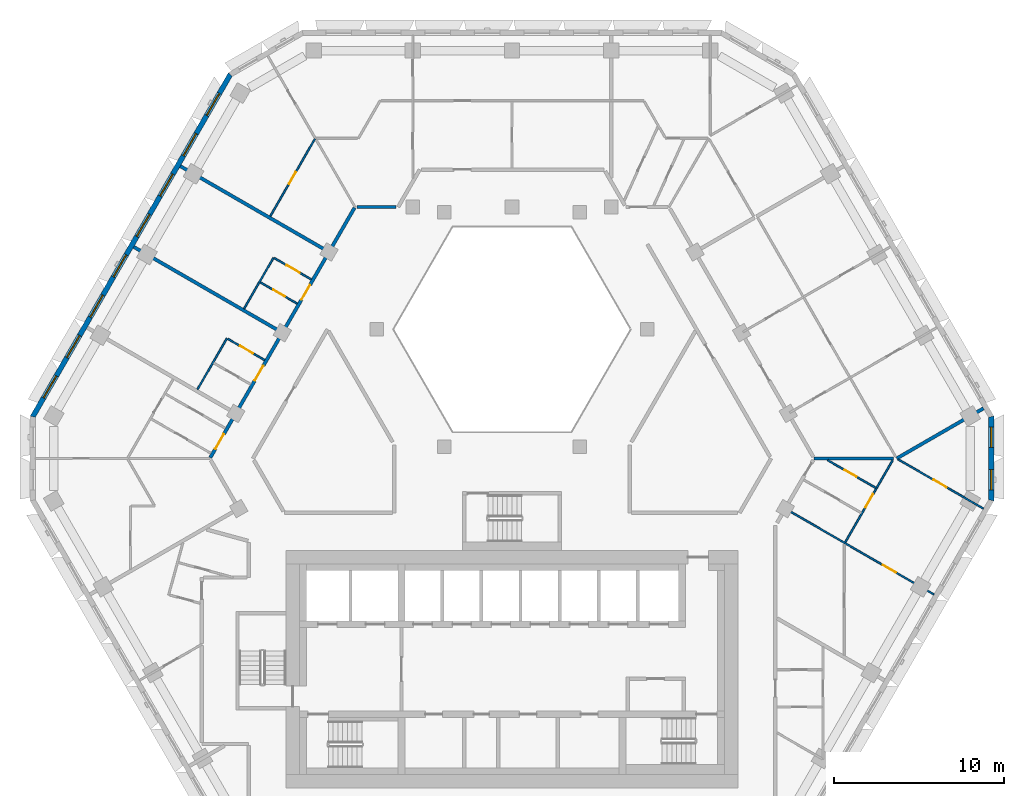
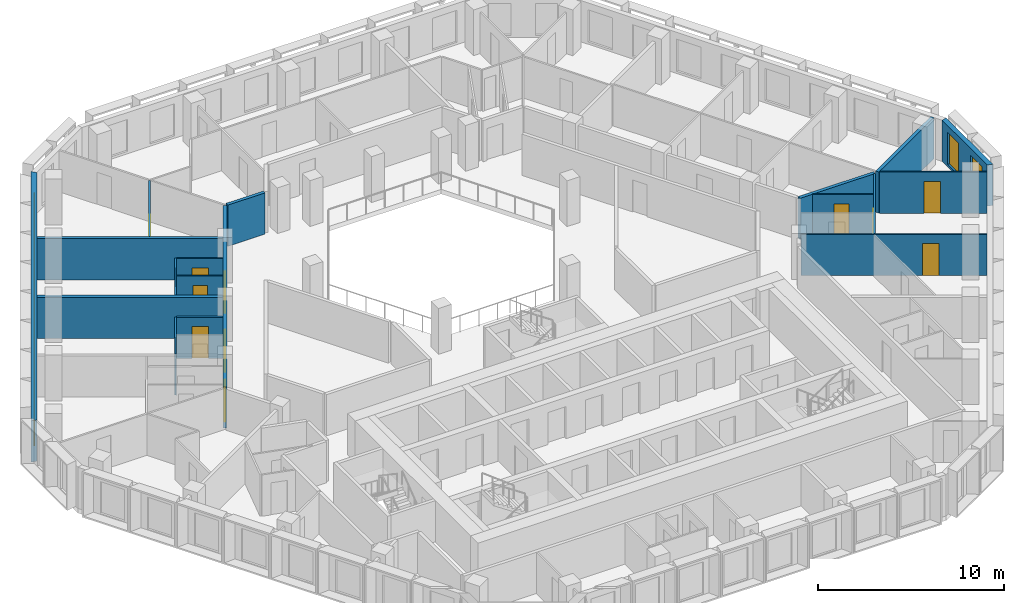
# One storey, part 7 of 17: 18 walls, 11 doors, 10 windows, 21 openings.
"""IFC4 building model written with IfcOpenShell, lengths in metres."""

from ifc_helpers import new_model, si_unit, direction, frame, frame_2d, origin, place, context, subcontext, project, spatial, polyline, rectangle, outline, extrude, material, layer, layer_set, type_object, element, fill, save


model = new_model("IFC4")

# Units and contexts
model_context = context("Model", 3, precision=1e-05, world=origin(), true_north=direction((0.0, 1.0)))
body_context = subcontext(model_context, "Body", "Model", "MODEL_VIEW")
ifc_project = project(units=[si_unit("LENGTHUNIT", "METRE"), si_unit("AREAUNIT", "SQUARE_METRE"), si_unit("VOLUMEUNIT", "CUBIC_METRE"), si_unit("PLANEANGLEUNIT", "RADIAN"), si_unit("MASSUNIT", "GRAM", prefix="KILO")], contexts=[model_context])

# Site, building, storey
site_placement = place(None, origin())
site = spatial("IfcSite", under=ifc_project, at=site_placement, CompositionType="ELEMENT")
building_placement = place(site_placement, origin())
building = spatial("IfcBuilding", under=site, at=building_placement, Name="Beryl Residences", CompositionType="ELEMENT")
storey_placement = place(building_placement, frame((0.0, 0.0, 132.60009765625)))
storey = spatial("IfcBuildingStorey", under=building, at=storey_placement, Name="L40", CompositionType="ELEMENT", Elevation=132.60009765625)

# Wall, openings, windows
ifc_material_1 = material(Name="Composite metal panel with mineral wool insulation")
ifc_layer_1 = layer(ifc_material_1, 0.300048828125)
ifc_layer_set_1 = layer_set([ifc_layer_1], Name="ES1 pale metal composite panel wall 300 mm")
wall_type_1 = type_object("IfcWallType", Name="ES1 pale metal composite panel wall 300 mm", PredefinedType="SOLIDWALL", material=ifc_layer_set_1)
wall_1_placement = place(storey_placement, frame((-16.554931640625, 23.02490234375, 0.0), z_axis=(0.0, 0.0, 1.0), x_axis=(-0.500020536353, -0.866013546791, 0.0)))
wall_1 = element("IfcWall", 1, at=wall_1_placement, inside=storey, type_object=wall_type_1, Name="ES1 external wall L40 NW", PredefinedType="SOLIDWALL", context=body_context, shape_type="SweptSolid", body=[
    extrude(outline(polyline([(0.0, -0.14990234375), (23.3251953125, -0.14990234375), (23.244873046875, 0.14990234375), (0.080322265625, 0.14990234375), (0.0, -0.14990234375)])), origin(), (0.0, 0.0, 1.0), 2.699951171875),
])
opening_1_placement = place(wall_1_placement, frame((1.31396484375, 0.0, 0.14990234375)))
opening_1 = element("IfcOpeningElement", 2, at=opening_1_placement, cuts=wall_1, Name="Opening W1", PredefinedType="OPENING", context=body_context, shape_type="SweptSolid", body=[
    extrude(rectangle(XDim=1.5, YDim=2.10009765625, at=frame_2d((0.75, 1.050048828125))), frame((0.0, 0.159912109375, 0.0), z_axis=(0.0, -1.0, 0.0), x_axis=(1.0, 0.0, 0.0)), (0.0, 0.0, 1.0), 0.320068359375),
])
opening_2_placement = place(wall_1_placement, frame((4.055908203125, 0.0, 0.14990234375)))
opening_2 = element("IfcOpeningElement", 3, at=opening_2_placement, cuts=wall_1, Name="Opening W1", PredefinedType="OPENING", context=body_context, shape_type="SweptSolid", body=[
    extrude(rectangle(XDim=1.5, YDim=2.10009765625, at=frame_2d((0.75, 1.050048828125))), frame((0.0, 0.159912109375, 0.0), z_axis=(0.0, -1.0, 0.0), x_axis=(1.0, 0.0, 0.0)), (0.0, 0.0, 1.0), 0.320068359375),
])
opening_3_placement = place(wall_1_placement, frame((6.799072265625, 0.0, 0.14990234375)))
opening_3 = element("IfcOpeningElement", 4, at=opening_3_placement, cuts=wall_1, Name="Opening W1", PredefinedType="OPENING", context=body_context, shape_type="SweptSolid", body=[
    extrude(rectangle(XDim=1.5, YDim=2.10009765625, at=frame_2d((0.75, 1.050048828125))), frame((0.0, 0.159912109375, 0.0), z_axis=(0.0, -1.0, 0.0), x_axis=(1.0, 0.0, 0.0)), (0.0, 0.0, 1.0), 0.320068359375),
])
opening_4_placement = place(wall_1_placement, frame((9.541015625, 0.0, 0.14990234375)))
opening_4 = element("IfcOpeningElement", 5, at=opening_4_placement, cuts=wall_1, Name="Opening W1", PredefinedType="OPENING", context=body_context, shape_type="SweptSolid", body=[
    extrude(rectangle(XDim=1.5, YDim=2.10009765625, at=frame_2d((0.75, 1.050048828125))), frame((0.0, 0.159912109375, 0.0), z_axis=(0.0, -1.0, 0.0), x_axis=(1.0, 0.0, 0.0)), (0.0, 0.0, 1.0), 0.320068359375),
])
opening_5_placement = place(wall_1_placement, frame((12.284912109375, 0.0, 0.14990234375)))
opening_5 = element("IfcOpeningElement", 6, at=opening_5_placement, cuts=wall_1, Name="Opening W1", PredefinedType="OPENING", context=body_context, shape_type="SweptSolid", body=[
    extrude(rectangle(XDim=1.5, YDim=2.10009765625, at=frame_2d((0.75, 1.050048828125))), frame((0.0, 0.159912109375, 0.0), z_axis=(0.0, -1.0, 0.0), x_axis=(1.0, 0.0, 0.0)), (0.0, 0.0, 1.0), 0.320068359375),
])
opening_6_placement = place(wall_1_placement, frame((15.027099609375, 0.0, 0.14990234375)))
opening_6 = element("IfcOpeningElement", 7, at=opening_6_placement, cuts=wall_1, Name="Opening W1", PredefinedType="OPENING", context=body_context, shape_type="SweptSolid", body=[
    extrude(rectangle(XDim=1.5, YDim=2.10009765625, at=frame_2d((0.75, 1.050048828125))), frame((0.0, 0.159912109375, 0.0), z_axis=(0.0, -1.0, 0.0), x_axis=(1.0, 0.0, 0.0)), (0.0, 0.0, 1.0), 0.320068359375),
])
opening_7_placement = place(wall_1_placement, frame((17.76904296875, 0.0, 0.14990234375)))
opening_7 = element("IfcOpeningElement", 8, at=opening_7_placement, cuts=wall_1, Name="Opening W1", PredefinedType="OPENING", context=body_context, shape_type="SweptSolid", body=[
    extrude(rectangle(XDim=1.5, YDim=2.10009765625, at=frame_2d((0.75, 1.050048828125))), frame((0.0, 0.159912109375, 0.0), z_axis=(0.0, -1.0, 0.0), x_axis=(1.0, 0.0, 0.0)), (0.0, 0.0, 1.0), 0.320068359375),
])
opening_8_placement = place(wall_1_placement, frame((20.511962890625, 0.0, 0.14990234375)))
opening_8 = element("IfcOpeningElement", 9, at=opening_8_placement, cuts=wall_1, Name="Opening W1", PredefinedType="OPENING", context=body_context, shape_type="SweptSolid", body=[
    extrude(rectangle(XDim=1.5, YDim=2.10009765625, at=frame_2d((0.75, 1.050048828125))), frame((0.0, 0.159912109375, 0.0), z_axis=(0.0, -1.0, 0.0), x_axis=(1.0, 0.0, 0.0)), (0.0, 0.0, 1.0), 0.320068359375),
])
ifc_material_2 = material(Name="Aluminium and clear glass", Category="aluminium")
window_type_1 = type_object("IfcWindowType", Name="W1 cell window 1500 x 2100 mm", PartitioningType="SINGLE_PANEL", PredefinedType="WINDOW", material=ifc_material_2)
window_1_placement = place(opening_1_placement, origin())
window_1 = element("IfcWindow", 10, at=window_1_placement, inside=storey, type_object=window_type_1, Name="W1 window L40 NW 1", OverallHeight=2.10009765625, OverallWidth=1.5, PartitioningType="SINGLE_PANEL", PredefinedType="WINDOW", context=body_context, shape_type="SweptSolid", body=[
    extrude(rectangle(XDim=1.5, YDim=2.10009765625, at=frame_2d((0.75, 1.050048828125))), frame((0.0, 0.030029296875, 0.0), z_axis=(0.0, -1.0, 0.0), x_axis=(1.0, 0.0, 0.0)), (0.0, 0.0, 1.0), 0.06005859375),
])
fill(opening_1, window_1)
window_2_placement = place(opening_2_placement, origin())
window_2 = element("IfcWindow", 11, at=window_2_placement, inside=storey, type_object=window_type_1, Name="W1 window L40 NW 2", OverallHeight=2.10009765625, OverallWidth=1.5, PartitioningType="SINGLE_PANEL", PredefinedType="WINDOW", context=body_context, shape_type="SweptSolid", body=[
    extrude(rectangle(XDim=1.5, YDim=2.10009765625, at=frame_2d((0.75, 1.050048828125))), frame((0.0, 0.030029296875, 0.0), z_axis=(0.0, -1.0, 0.0), x_axis=(1.0, 0.0, 0.0)), (0.0, 0.0, 1.0), 0.06005859375),
])
fill(opening_2, window_2)
window_3_placement = place(opening_3_placement, origin())
window_3 = element("IfcWindow", 12, at=window_3_placement, inside=storey, type_object=window_type_1, Name="W1 window L40 NW 3", OverallHeight=2.10009765625, OverallWidth=1.5, PartitioningType="SINGLE_PANEL", PredefinedType="WINDOW", context=body_context, shape_type="SweptSolid", body=[
    extrude(rectangle(XDim=1.5, YDim=2.10009765625, at=frame_2d((0.75, 1.050048828125))), frame((0.0, 0.030029296875, 0.0), z_axis=(0.0, -1.0, 0.0), x_axis=(1.0, 0.0, 0.0)), (0.0, 0.0, 1.0), 0.06005859375),
])
fill(opening_3, window_3)
window_4_placement = place(opening_4_placement, origin())
window_4 = element("IfcWindow", 13, at=window_4_placement, inside=storey, type_object=window_type_1, Name="W1 window L40 NW 4", OverallHeight=2.10009765625, OverallWidth=1.5, PartitioningType="SINGLE_PANEL", PredefinedType="WINDOW", context=body_context, shape_type="SweptSolid", body=[
    extrude(rectangle(XDim=1.5, YDim=2.10009765625, at=frame_2d((0.75, 1.050048828125))), frame((0.0, 0.030029296875, 0.0), z_axis=(0.0, -1.0, 0.0), x_axis=(1.0, 0.0, 0.0)), (0.0, 0.0, 1.0), 0.06005859375),
])
fill(opening_4, window_4)
window_5_placement = place(opening_5_placement, origin())
window_5 = element("IfcWindow", 14, at=window_5_placement, inside=storey, type_object=window_type_1, Name="W1 window L40 NW 5", OverallHeight=2.10009765625, OverallWidth=1.5, PartitioningType="SINGLE_PANEL", PredefinedType="WINDOW", context=body_context, shape_type="SweptSolid", body=[
    extrude(rectangle(XDim=1.5, YDim=2.10009765625, at=frame_2d((0.75, 1.050048828125))), frame((0.0, 0.030029296875, 0.0), z_axis=(0.0, -1.0, 0.0), x_axis=(1.0, 0.0, 0.0)), (0.0, 0.0, 1.0), 0.06005859375),
])
fill(opening_5, window_5)
window_6_placement = place(opening_6_placement, origin())
window_6 = element("IfcWindow", 15, at=window_6_placement, inside=storey, type_object=window_type_1, Name="W1 window L40 NW 6", OverallHeight=2.10009765625, OverallWidth=1.5, PartitioningType="SINGLE_PANEL", PredefinedType="WINDOW", context=body_context, shape_type="SweptSolid", body=[
    extrude(rectangle(XDim=1.5, YDim=2.10009765625, at=frame_2d((0.75, 1.050048828125))), frame((0.0, 0.030029296875, 0.0), z_axis=(0.0, -1.0, 0.0), x_axis=(1.0, 0.0, 0.0)), (0.0, 0.0, 1.0), 0.06005859375),
])
fill(opening_6, window_6)
window_7_placement = place(opening_7_placement, origin())
window_7 = element("IfcWindow", 16, at=window_7_placement, inside=storey, type_object=window_type_1, Name="W1 window L40 NW 7", OverallHeight=2.10009765625, OverallWidth=1.5, PartitioningType="SINGLE_PANEL", PredefinedType="WINDOW", context=body_context, shape_type="SweptSolid", body=[
    extrude(rectangle(XDim=1.5, YDim=2.10009765625, at=frame_2d((0.75, 1.050048828125))), frame((0.0, 0.030029296875, 0.0), z_axis=(0.0, -1.0, 0.0), x_axis=(1.0, 0.0, 0.0)), (0.0, 0.0, 1.0), 0.06005859375),
])
fill(opening_7, window_7)
window_8_placement = place(opening_8_placement, origin())
window_8 = element("IfcWindow", 17, at=window_8_placement, inside=storey, type_object=window_type_1, Name="W1 window L40 NW 8", OverallHeight=2.10009765625, OverallWidth=1.5, PartitioningType="SINGLE_PANEL", PredefinedType="WINDOW", context=body_context, shape_type="SweptSolid", body=[
    extrude(rectangle(XDim=1.5, YDim=2.10009765625, at=frame_2d((0.75, 1.050048828125))), frame((0.0, 0.030029296875, 0.0), z_axis=(0.0, -1.0, 0.0), x_axis=(1.0, 0.0, 0.0)), (0.0, 0.0, 1.0), 0.06005859375),
])
fill(opening_8, window_8)

wall_2_placement = place(storey_placement, frame((28.197998046875, -2.10009765625, 0.0), z_axis=(0.0, 0.0, 1.0), x_axis=(0.0, 1.0, 0.0)))
wall_2 = element("IfcWall", 18, at=wall_2_placement, inside=storey, type_object=wall_type_1, Name="ES1 external wall L40 SE-NE", PredefinedType="SOLIDWALL", context=body_context, shape_type="SweptSolid", body=[
    extrude(outline(polyline([(0.0, -0.14990234375), (5.0, -0.14990234375), (4.919677734375, 0.14990234375), (0.080322265625, 0.14990234375), (0.0, -0.14990234375)])), origin(), (0.0, 0.0, 1.0), 2.699951171875),
])
opening_9_placement = place(wall_2_placement, frame((0.64990234375, 0.0, 0.14990234375)))
opening_9 = element("IfcOpeningElement", 19, at=opening_9_placement, cuts=wall_2, Name="Opening W2", PredefinedType="OPENING", context=body_context, shape_type="SweptSolid", body=[
    extrude(rectangle(XDim=1.199951171875, YDim=2.10009765625, at=frame_2d((0.60009765625, 1.050048828125))), frame((0.0, 0.159912109375, 0.0), z_axis=(0.0, -1.0, 0.0), x_axis=(1.0, 0.0, 0.0)), (0.0, 0.0, 1.0), 0.320068359375),
])
opening_10_placement = place(wall_2_placement, frame((3.14990234375, 0.0, 0.14990234375)))
opening_10 = element("IfcOpeningElement", 20, at=opening_10_placement, cuts=wall_2, Name="Opening W2", PredefinedType="OPENING", context=body_context, shape_type="SweptSolid", body=[
    extrude(rectangle(XDim=1.199951171875, YDim=2.10009765625, at=frame_2d((0.60009765625, 1.050048828125))), frame((0.0, 0.159912109375, 0.0), z_axis=(0.0, -1.0, 0.0), x_axis=(1.0, 0.0, 0.0)), (0.0, 0.0, 1.0), 0.320068359375),
])
ifc_material_3 = material(Name="Aluminium and clear glass", Category="aluminium")
window_type_2 = type_object("IfcWindowType", Name="W2 chamfer window 1200 x 2100 mm", PartitioningType="SINGLE_PANEL", PredefinedType="WINDOW", material=ifc_material_3)
window_9_placement = place(opening_9_placement, origin())
window_9 = element("IfcWindow", 21, at=window_9_placement, inside=storey, type_object=window_type_2, Name="W2 window L40 SE-NE 1", OverallHeight=2.10009765625, OverallWidth=1.199951171875, PartitioningType="SINGLE_PANEL", PredefinedType="WINDOW", context=body_context, shape_type="SweptSolid", body=[
    extrude(rectangle(XDim=1.199951171875, YDim=2.10009765625, at=frame_2d((0.60009765625, 1.050048828125))), frame((0.0, 0.030029296875, 0.0), z_axis=(0.0, -1.0, 0.0), x_axis=(1.0, 0.0, 0.0)), (0.0, 0.0, 1.0), 0.06005859375),
])
fill(opening_9, window_9)
window_10_placement = place(opening_10_placement, origin())
window_10 = element("IfcWindow", 22, at=window_10_placement, inside=storey, type_object=window_type_2, Name="W2 window L40 SE-NE 2", OverallHeight=2.10009765625, OverallWidth=1.199951171875, PartitioningType="SINGLE_PANEL", PredefinedType="WINDOW", context=body_context, shape_type="SweptSolid", body=[
    extrude(rectangle(XDim=1.199951171875, YDim=2.10009765625, at=frame_2d((0.60009765625, 1.050048828125))), frame((0.0, 0.030029296875, 0.0), z_axis=(0.0, -1.0, 0.0), x_axis=(1.0, 0.0, 0.0)), (0.0, 0.0, 1.0), 0.06005859375),
])
fill(opening_10, window_10)

# Wall, opening, door
ifc_material_4 = material(Name="Gypsum board partition on steel studs", Category="steel")
ifc_layer_2 = layer(ifc_material_4, 0.10009765625)
ifc_layer_set_2 = layer_set([ifc_layer_2], Name="PT1 partition 100 mm gypsum board on steel studs")
wall_type_2 = type_object("IfcWallType", Name="PT1 partition 100 mm gypsum board on steel studs", PredefinedType="PARTITIONING", material=ifc_layer_set_2)
wall_3_placement = place(storey_placement, frame((-16.72900390625, 7.44189453125, 0.0), z_axis=(0.0, 0.0, 1.0), x_axis=(0.865983051302, -0.500073349477, 0.0)))
wall_3 = element("IfcWall", 23, at=wall_3_placement, inside=storey, type_object=wall_type_2, Name="Wall PT1 L40 015", PredefinedType="PARTITIONING", context=body_context, shape_type="SweptSolid", body=[
    extrude(rectangle(XDim=2.50927734375, YDim=0.10009765625, at=frame_2d((1.254638671875, 0.0))), origin(), (0.0, 0.0, 1.0), 2.699951171875),
])
opening_11_placement = place(wall_3_placement, frame((0.8291015625, 0.0, 0.0)))
opening_11 = element("IfcOpeningElement", 24, at=opening_11_placement, cuts=wall_3, Name="Opening D1019", PredefinedType="OPENING", context=body_context, shape_type="SweptSolid", body=[
    extrude(rectangle(XDim=0.89990234375, YDim=2.10009765625, at=frame_2d((0.449951171875, 1.050048828125))), frame((0.0, 0.06005859375, 0.0), z_axis=(0.0, -1.0, 0.0), x_axis=(1.0, 0.0, 0.0)), (0.0, 0.0, 1.0), 0.1201171875),
])
ifc_material_5 = material(Name="Timber door leaf", Category="wood")
door_type_1 = type_object("IfcDoorType", Name="D2 room door 900 x 2100 mm", OperationType="SINGLE_SWING_LEFT", PredefinedType="DOOR", material=ifc_material_5)
door_1_placement = place(opening_11_placement, origin())
door_1 = element("IfcDoor", 25, at=door_1_placement, inside=storey, type_object=door_type_1, Name="Door D1019 L40 001", OperationType="SINGLE_SWING_LEFT", OverallHeight=2.10009765625, OverallWidth=0.89990234375, PredefinedType="DOOR", context=body_context, shape_type="SweptSolid", body=[
    extrude(rectangle(XDim=0.89990234375, YDim=2.10009765625, at=frame_2d((0.449951171875, 1.050048828125))), frame((0.0, 0.02490234375, 0.0), z_axis=(0.0, -1.0, 0.0), x_axis=(1.0, 0.0, 0.0)), (0.0, 0.0, 1.0), 0.050048828125),
])
fill(opening_11, door_1)

wall_4_placement = place(storey_placement, frame((-13.987060546875, 12.19189453125, 0.0), z_axis=(0.0, 0.0, 1.0), x_axis=(0.865983051302, -0.500073349477, 0.0)))
wall_4 = element("IfcWall", 26, at=wall_4_placement, inside=storey, type_object=wall_type_2, Name="Wall PT1 L40 016", PredefinedType="PARTITIONING", context=body_context, shape_type="SweptSolid", body=[
    extrude(rectangle(XDim=2.50927734375, YDim=0.10009765625, at=frame_2d((1.254638671875, 0.0))), origin(), (0.0, 0.0, 1.0), 2.699951171875),
])
opening_12_placement = place(wall_4_placement, frame((0.8291015625, 0.0, 0.0)))
opening_12 = element("IfcOpeningElement", 27, at=opening_12_placement, cuts=wall_4, Name="Opening D1016", PredefinedType="OPENING", context=body_context, shape_type="SweptSolid", body=[
    extrude(rectangle(XDim=0.89990234375, YDim=2.10009765625, at=frame_2d((0.449951171875, 1.050048828125))), frame((0.0, 0.06005859375, 0.0), z_axis=(0.0, -1.0, 0.0), x_axis=(1.0, 0.0, 0.0)), (0.0, 0.0, 1.0), 0.1201171875),
])
door_2_placement = place(opening_12_placement, origin())
door_2 = element("IfcDoor", 28, at=door_2_placement, inside=storey, type_object=door_type_1, Name="Door D1016 L40 001", OperationType="SINGLE_SWING_RIGHT", OverallHeight=2.10009765625, OverallWidth=0.89990234375, PredefinedType="DOOR", context=body_context, shape_type="SweptSolid", body=[
    extrude(rectangle(XDim=0.89990234375, YDim=2.10009765625, at=frame_2d((0.449951171875, 1.050048828125))), frame((0.0, 0.02490234375, 0.0), z_axis=(0.0, -1.0, 0.0), x_axis=(1.0, 0.0, 0.0)), (0.0, 0.0, 1.0), 0.050048828125),
])
fill(opening_12, door_2)

wall_5_placement = place(storey_placement, frame((16.1650390625, -2.60107421875, 0.0), z_axis=(0.0, 0.0, 1.0), x_axis=(0.866016855193, -0.500014806302, 0.0)))
wall_5 = element("IfcWall", 29, at=wall_5_placement, inside=storey, type_object=wall_type_2, Name="Wall PT1 L40 017", PredefinedType="PARTITIONING", context=body_context, shape_type="SweptSolid", body=[
    extrude(rectangle(XDim=9.999755859375, YDim=0.10009765625, at=frame_2d((5.0, 0.0))), origin(), (0.0, 0.0, 1.0), 2.699951171875),
])
opening_13_placement = place(wall_5_placement, frame((6.52392578125, 0.0, 0.0)))
opening_13 = element("IfcOpeningElement", 30, at=opening_13_placement, cuts=wall_5, Name="Opening D1046", PredefinedType="OPENING", context=body_context, shape_type="SweptSolid", body=[
    extrude(rectangle(XDim=0.89990234375, YDim=2.10009765625, at=frame_2d((0.449951171875, 1.050048828125))), frame((0.0, 0.06005859375, 0.0), z_axis=(0.0, -1.0, 0.0), x_axis=(1.0, 0.0, 0.0)), (0.0, 0.0, 1.0), 0.1201171875),
])
door_3_placement = place(opening_13_placement, origin())
door_3 = element("IfcDoor", 31, at=door_3_placement, inside=storey, type_object=door_type_1, Name="Door D1046 L40 001", OperationType="SINGLE_SWING_RIGHT", OverallHeight=2.10009765625, OverallWidth=0.89990234375, PredefinedType="DOOR", context=body_context, shape_type="SweptSolid", body=[
    extrude(rectangle(XDim=0.89990234375, YDim=2.10009765625, at=frame_2d((0.449951171875, 1.050048828125))), frame((0.0, 0.02490234375, 0.0), z_axis=(0.0, -1.0, 0.0), x_axis=(1.0, 0.0, 0.0)), (0.0, 0.0, 1.0), 0.050048828125),
])
fill(opening_13, door_3)

wall_6_placement = place(storey_placement, frame((18.568115234375, 0.301025390625, 0.0), z_axis=(0.0, 0.0, 1.0), x_axis=(0.867155675456, -0.49803718187, 0.0)))
wall_6 = element("IfcWall", 32, at=wall_6_placement, inside=storey, type_object=wall_type_2, Name="Wall PT1 L40 019", PredefinedType="PARTITIONING", context=body_context, shape_type="SweptSolid", body=[
    extrude(rectangle(XDim=3.266845703125, YDim=0.10009765625, at=frame_2d((1.63330078125, 0.0))), origin(), (0.0, 0.0, 1.0), 2.699951171875),
])
opening_14_placement = place(wall_6_placement, frame((1.157958984375, 0.0, 0.0)))
opening_14 = element("IfcOpeningElement", 33, at=opening_14_placement, cuts=wall_6, Name="Opening D1044", PredefinedType="OPENING", context=body_context, shape_type="SweptSolid", body=[
    extrude(rectangle(XDim=0.800048828125, YDim=2.10009765625, at=frame_2d((0.39990234375, 1.050048828125))), frame((0.0, 0.06005859375, 0.0), z_axis=(0.0, -1.0, 0.0), x_axis=(1.0, 0.0, 0.0)), (0.0, 0.0, 1.0), 0.1201171875),
])
ifc_material_6 = material(Name="Timber door leaf", Category="wood")
door_type_2 = type_object("IfcDoorType", Name="D3 bathroom door 800 x 2100 mm", OperationType="SINGLE_SWING_LEFT", PredefinedType="DOOR", material=ifc_material_6)
door_4_placement = place(opening_14_placement, origin())
door_4 = element("IfcDoor", 34, at=door_4_placement, inside=storey, type_object=door_type_2, Name="Door D1044 L40 001", OperationType="SINGLE_SWING_RIGHT", OverallHeight=2.10009765625, OverallWidth=0.800048828125, PredefinedType="DOOR", context=body_context, shape_type="SweptSolid", body=[
    extrude(rectangle(XDim=0.800048828125, YDim=2.10009765625, at=frame_2d((0.39990234375, 1.050048828125))), frame((0.0, 0.02490234375, 0.0), z_axis=(0.0, -1.0, 0.0), x_axis=(1.0, 0.0, 0.0)), (0.0, 0.0, 1.0), 0.050048828125),
])
fill(opening_14, door_4)

wall_7_placement = place(storey_placement, frame((22.72900390625, 0.343017578125, 0.0), z_axis=(0.0, 0.0, 1.0), x_axis=(0.865996608848, -0.500049870977, 0.0)))
wall_7 = element("IfcWall", 35, at=wall_7_placement, inside=storey, type_object=wall_type_2, Name="Wall PT1 L40 020", PredefinedType="PARTITIONING", context=body_context, shape_type="SweptSolid", body=[
    extrude(rectangle(XDim=5.78759765625, YDim=0.10009765625, at=frame_2d((2.893798828125, 0.0))), origin(), (0.0, 0.0, 1.0), 2.699951171875),
])
opening_15_placement = place(wall_7_placement, frame((2.385986328125, 0.0, 0.0)))
opening_15 = element("IfcOpeningElement", 36, at=opening_15_placement, cuts=wall_7, Name="Opening D1047", PredefinedType="OPENING", context=body_context, shape_type="SweptSolid", body=[
    extrude(rectangle(XDim=0.89990234375, YDim=2.10009765625, at=frame_2d((0.449951171875, 1.050048828125))), frame((0.0, 0.06005859375, 0.0), z_axis=(0.0, -1.0, 0.0), x_axis=(1.0, 0.0, 0.0)), (0.0, 0.0, 1.0), 0.1201171875),
])
door_5_placement = place(opening_15_placement, origin())
door_5 = element("IfcDoor", 37, at=door_5_placement, inside=storey, type_object=door_type_1, Name="Door D1047 L40 001", OperationType="SINGLE_SWING_LEFT", OverallHeight=2.10009765625, OverallWidth=0.89990234375, PredefinedType="DOOR", context=body_context, shape_type="SweptSolid", body=[
    extrude(rectangle(XDim=0.89990234375, YDim=2.10009765625, at=frame_2d((0.449951171875, 1.050048828125))), frame((0.0, 0.02490234375, 0.0), z_axis=(0.0, -1.0, 0.0), x_axis=(1.0, 0.0, 0.0)), (0.0, 0.0, 1.0), 0.050048828125),
])
fill(opening_15, door_5)

wall_8_placement = place(storey_placement, frame((-14.81005859375, 10.76708984375, 0.0), z_axis=(0.0, 0.0, 1.0), x_axis=(0.866038211682, -0.499977815414, 0.0)))
wall_8 = element("IfcWall", 38, at=wall_8_placement, inside=storey, type_object=wall_type_2, Name="Wall PT1 L40 021", PredefinedType="PARTITIONING", context=body_context, shape_type="SweptSolid", body=[
    extrude(rectangle(XDim=2.51025390625, YDim=0.10009765625, at=frame_2d((1.255126953125, 0.0))), origin(), (0.0, 0.0, 1.0), 2.699951171875),
])
opening_16_placement = place(wall_8_placement, frame((0.8798828125, 0.0, 0.0)))
opening_16 = element("IfcOpeningElement", 39, at=opening_16_placement, cuts=wall_8, Name="Opening D1017", PredefinedType="OPENING", context=body_context, shape_type="SweptSolid", body=[
    extrude(rectangle(XDim=0.800048828125, YDim=2.10009765625, at=frame_2d((0.39990234375, 1.050048828125))), frame((0.0, 0.06005859375, 0.0), z_axis=(0.0, -1.0, 0.0), x_axis=(1.0, 0.0, 0.0)), (0.0, 0.0, 1.0), 0.1201171875),
])
door_6_placement = place(opening_16_placement, origin())
door_6 = element("IfcDoor", 40, at=door_6_placement, inside=storey, type_object=door_type_2, Name="Door D1017 L40 001", OperationType="SINGLE_SWING_LEFT", OverallHeight=2.10009765625, OverallWidth=0.800048828125, PredefinedType="DOOR", context=body_context, shape_type="SweptSolid", body=[
    extrude(rectangle(XDim=0.800048828125, YDim=2.10009765625, at=frame_2d((0.39990234375, 1.050048828125))), frame((0.0, 0.02490234375, 0.0), z_axis=(0.0, -1.0, 0.0), x_axis=(1.0, 0.0, 0.0)), (0.0, 0.0, 1.0), 0.050048828125),
])
fill(opening_16, door_6)

wall_9_placement = place(storey_placement, frame((19.60791015625, -4.531005859375, 0.0), z_axis=(0.0, 0.0, 1.0), x_axis=(0.500035555316, 0.86600487494, 0.0)))
wall_9 = element("IfcWall", 41, at=wall_9_placement, inside=storey, type_object=wall_type_2, Name="Wall PT1 L40 031", PredefinedType="PARTITIONING", context=body_context, shape_type="SweptSolid", body=[
    extrude(rectangle(XDim=5.57958984375, YDim=0.10009765625, at=frame_2d((2.789794921875, 0.0))), origin(), (0.0, 0.0, 1.0), 2.699951171875),
])
opening_17_placement = place(wall_9_placement, frame((2.3720703125, 0.0, 0.0)))
opening_17 = element("IfcOpeningElement", 42, at=opening_17_placement, cuts=wall_9, Name="Opening D1045", PredefinedType="OPENING", context=body_context, shape_type="SweptSolid", body=[
    extrude(rectangle(XDim=0.89990234375, YDim=2.10009765625, at=frame_2d((0.449951171875, 1.050048828125))), frame((0.0, 0.06005859375, 0.0), z_axis=(0.0, -1.0, 0.0), x_axis=(1.0, 0.0, 0.0)), (0.0, 0.0, 1.0), 0.1201171875),
])
door_7_placement = place(opening_17_placement, origin())
door_7 = element("IfcDoor", 43, at=door_7_placement, inside=storey, type_object=door_type_1, Name="Door D1045 L40 001", OperationType="SINGLE_SWING_LEFT", OverallHeight=2.10009765625, OverallWidth=0.89990234375, PredefinedType="DOOR", context=body_context, shape_type="SweptSolid", body=[
    extrude(rectangle(XDim=0.89990234375, YDim=2.10009765625, at=frame_2d((0.449951171875, 1.050048828125))), frame((0.0, 0.02490234375, 0.0), z_axis=(0.0, -1.0, 0.0), x_axis=(1.0, 0.0, 0.0)), (0.0, 0.0, 1.0), 0.050048828125),
])
fill(opening_17, door_7)

# Walls
wall_10_placement = place(storey_placement, frame((-18.506103515625, 4.466064453125, 0.0), z_axis=(0.0, 0.0, 1.0), x_axis=(0.500027479704, 0.866009537788, 0.0)))
element("IfcWall", 44, at=wall_10_placement, inside=storey, type_object=wall_type_2, Name="Wall PT1 L40 033", PredefinedType="PARTITIONING", context=body_context, shape_type="SweptSolid", body=[
    extrude(rectangle(XDim=3.464111328125, YDim=0.10009765625, at=frame_2d((1.73193359375, 0.0))), origin(), (0.0, 0.0, 1.0), 2.699951171875),
])
wall_11_placement = place(storey_placement, frame((-15.762939453125, 9.217041015625, 0.0), z_axis=(0.0, 0.0, 1.0), x_axis=(0.500096714907, 0.865969558206, 0.0)))
element("IfcWall", 45, at=wall_11_placement, inside=storey, type_object=wall_type_2, Name="Wall PT1 L40 034", PredefinedType="PARTITIONING", context=body_context, shape_type="SweptSolid", body=[
    extrude(rectangle(XDim=3.463134765625, YDim=0.10009765625, at=frame_2d((1.7314453125, 0.0))), origin(), (0.0, 0.0, 1.0), 2.699951171875),
])

# Wall, opening, door
wall_12_placement = place(storey_placement, frame((-14.221923828125, 14.658935546875, 0.0), z_axis=(0.0, 0.0, 1.0), x_axis=(0.500053212623, 0.865994679283, 0.0)))
wall_12 = element("IfcWall", 46, at=wall_12_placement, inside=storey, type_object=wall_type_2, Name="Wall PT1 L40 035", PredefinedType="PARTITIONING", context=body_context, shape_type="SweptSolid", body=[
    extrude(rectangle(XDim=5.2392578125, YDim=0.10009765625, at=frame_2d((2.61962890625, 0.0))), origin(), (0.0, 0.0, 1.0), 2.699951171875),
])
opening_18_placement = place(wall_12_placement, frame((2.197998046875, 0.0, 0.0)))
opening_18 = element("IfcOpeningElement", 47, at=opening_18_placement, cuts=wall_12, Name="Opening D1014", PredefinedType="OPENING", context=body_context, shape_type="SweptSolid", body=[
    extrude(rectangle(XDim=0.800048828125, YDim=2.10009765625, at=frame_2d((0.39990234375, 1.050048828125))), frame((0.0, 0.06005859375, 0.0), z_axis=(0.0, -1.0, 0.0), x_axis=(1.0, 0.0, 0.0)), (0.0, 0.0, 1.0), 0.1201171875),
])
door_8_placement = place(opening_18_placement, origin())
door_8 = element("IfcDoor", 48, at=door_8_placement, inside=storey, type_object=door_type_2, Name="Door D1014 L40 001", OperationType="SINGLE_SWING_RIGHT", OverallHeight=2.10009765625, OverallWidth=0.800048828125, PredefinedType="DOOR", context=body_context, shape_type="SweptSolid", body=[
    extrude(rectangle(XDim=0.800048828125, YDim=2.10009765625, at=frame_2d((0.39990234375, 1.050048828125))), frame((0.0, 0.02490234375, 0.0), z_axis=(0.0, -1.0, 0.0), x_axis=(1.0, 0.0, 0.0)), (0.0, 0.0, 1.0), 0.050048828125),
])
fill(opening_18, door_8)

# Walls
ifc_material_7 = material(Name="Acoustic double stud gypsum board wall")
ifc_layer_3 = layer(ifc_material_7, 0.199951171875)
ifc_layer_set_3 = layer_set([ifc_layer_3], Name="PT3 party wall 200 mm acoustic double stud")
wall_type_3 = type_object("IfcWallType", Name="PT3 party wall 200 mm acoustic double stud", PredefinedType="PARTITIONING", material=ifc_layer_set_3)
wall_13_placement = place(storey_placement, frame((-22.257080078125, 12.85009765625, 0.0), z_axis=(0.0, 0.0, 1.0), x_axis=(0.866047370643, -0.499961950354, 0.0)))
element("IfcWall", 49, at=wall_13_placement, inside=storey, type_object=wall_type_3, Name="Wall PT3 L40 003", PredefinedType="PARTITIONING", context=body_context, shape_type="SweptSolid", body=[
    extrude(rectangle(XDim=10.000732421875, YDim=0.199951171875, at=frame_2d((5.00048828125, 0.0))), origin(), (0.0, 0.0, 1.0), 2.699951171875),
])
wall_14_placement = place(storey_placement, frame((-19.513916015625, 17.59912109375, 0.0), z_axis=(0.0, 0.0, 1.0), x_axis=(0.866059142644, -0.499941558027, 0.0)))
element("IfcWall", 50, at=wall_14_placement, inside=storey, type_object=wall_type_3, Name="Wall PT3 L40 005", PredefinedType="PARTITIONING", context=body_context, shape_type="SweptSolid", body=[
    extrude(rectangle(XDim=9.999267578125, YDim=0.199951171875, at=frame_2d((4.99951171875, 0.0))), origin(), (0.0, 0.0, 1.0), 2.699951171875),
])
wall_15_placement = place(storey_placement, frame((17.781982421875, 0.40087890625, 0.0), z_axis=(0.0, 0.0, 1.0), x_axis=(1.0, 0.0, 0.0)))
element("IfcWall", 51, at=wall_15_placement, inside=storey, type_object=wall_type_3, Name="Wall PT3 L40 006", PredefinedType="PARTITIONING", context=body_context, shape_type="SweptSolid", body=[
    extrude(rectangle(XDim=4.674072265625, YDim=0.199951171875, at=frame_2d((2.3369140625, 0.0))), origin(), (0.0, 0.0, 1.0), 2.699951171875),
])
wall_16_placement = place(storey_placement, frame((22.634033203125, 0.40087890625, 0.0), z_axis=(0.0, 0.0, 1.0), x_axis=(0.86601325737, 0.500021037617, 0.0)))
element("IfcWall", 52, at=wall_16_placement, inside=storey, type_object=wall_type_3, Name="Wall PT3 L40 010", PredefinedType="PARTITIONING", context=body_context, shape_type="SweptSolid", body=[
    extrude(rectangle(XDim=5.898193359375, YDim=0.199951171875, at=frame_2d((2.94921875, 0.0))), origin(), (0.0, 0.0, 1.0), 2.699951171875),
])
ifc_material_8 = material(Name="Double stud gypsum board wall")
ifc_layer_4 = layer(ifc_material_8, 0.199951171875)
ifc_layer_set_4 = layer_set([ifc_layer_4], Name="PT4 corridor wall 200 mm double stud")
wall_type_4 = type_object("IfcWallType", Name="PT4 corridor wall 200 mm double stud", PredefinedType="PARTITIONING", material=ifc_layer_set_4)
wall_17_placement = place(storey_placement, frame((-9.12109375, 15.199951171875, 0.0), z_axis=(0.0, 0.0, 1.0), x_axis=(1.0, 0.0, 0.0)))
element("IfcWall", 53, at=wall_17_placement, inside=storey, type_object=wall_type_4, Name="Wall PT4 L40 014", PredefinedType="PARTITIONING", context=body_context, shape_type="SweptSolid", body=[
    extrude(rectangle(XDim=2.30810546875, YDim=0.199951171875, at=frame_2d((1.154052734375, 0.0))), origin(), (0.0, 0.0, 1.0), 2.699951171875),
])

# Wall, openings, doors
wall_18_placement = place(storey_placement, frame((-17.7529296875, 0.449951171875, 0.0), z_axis=(0.0, 0.0, 1.0), x_axis=(0.499990970252, 0.866030617049, 0.0)))
wall_18 = element("IfcWall", 54, at=wall_18_placement, inside=storey, type_object=wall_type_4, Name="Wall PT4 L40 022", PredefinedType="PARTITIONING", context=body_context, shape_type="SweptSolid", body=[
    extrude(rectangle(XDim=16.973876953125, YDim=0.199951171875, at=frame_2d((8.48681640625, 0.0))), origin(), (0.0, 0.0, 1.0), 2.699951171875),
])
opening_19_placement = place(wall_18_placement, frame((10.72998046875, 0.0, 0.0)))
opening_19 = element("IfcOpeningElement", 55, at=opening_19_placement, cuts=wall_18, Name="Opening D1015", PredefinedType="OPENING", context=body_context, shape_type="SweptSolid", body=[
    extrude(rectangle(XDim=1.0, YDim=2.10009765625, at=frame_2d((0.5, 1.050048828125))), frame((0.0, 0.10986328125, 0.0), z_axis=(0.0, -1.0, 0.0), x_axis=(1.0, 0.0, 0.0)), (0.0, 0.0, 1.0), 0.219970703125),
])
opening_20_placement = place(wall_18_placement, frame((5.2451171875, 0.0, 0.0)))
opening_20 = element("IfcOpeningElement", 56, at=opening_20_placement, cuts=wall_18, Name="Opening D1018", PredefinedType="OPENING", context=body_context, shape_type="SweptSolid", body=[
    extrude(rectangle(XDim=1.0, YDim=2.10009765625, at=frame_2d((0.5, 1.050048828125))), frame((0.0, 0.10986328125, 0.0), z_axis=(0.0, -1.0, 0.0), x_axis=(1.0, 0.0, 0.0)), (0.0, 0.0, 1.0), 0.219970703125),
])
opening_21_placement = place(wall_18_placement, frame((0.593994140625, 0.0, 0.0)))
opening_21 = element("IfcOpeningElement", 57, at=opening_21_placement, cuts=wall_18, Name="Opening D1021", PredefinedType="OPENING", context=body_context, shape_type="SweptSolid", body=[
    extrude(rectangle(XDim=1.0, YDim=2.10009765625, at=frame_2d((0.5, 1.050048828125))), frame((0.0, 0.10986328125, 0.0), z_axis=(0.0, -1.0, 0.0), x_axis=(1.0, 0.0, 0.0)), (0.0, 0.0, 1.0), 0.219970703125),
])
ifc_material_9 = material(Name="Timber door leaf", Category="wood")
door_type_3 = type_object("IfcDoorType", Name="D1 flat entrance door 1000 x 2100 mm", OperationType="SINGLE_SWING_LEFT", PredefinedType="DOOR", material=ifc_material_9)
door_9_placement = place(opening_19_placement, origin())
door_9 = element("IfcDoor", 58, at=door_9_placement, inside=storey, type_object=door_type_3, Name="Door D1015 L40 001", OperationType="SINGLE_SWING_LEFT", OverallHeight=2.10009765625, OverallWidth=1.0, PredefinedType="DOOR", context=body_context, shape_type="SweptSolid", body=[
    extrude(rectangle(XDim=1.0, YDim=2.10009765625, at=frame_2d((0.5, 1.050048828125))), frame((0.0, 0.02490234375, 0.0), z_axis=(0.0, -1.0, 0.0), x_axis=(1.0, 0.0, 0.0)), (0.0, 0.0, 1.0), 0.050048828125),
])
fill(opening_19, door_9)
door_10_placement = place(opening_20_placement, origin())
door_10 = element("IfcDoor", 59, at=door_10_placement, inside=storey, type_object=door_type_3, Name="Door D1018 L40 001", OperationType="SINGLE_SWING_RIGHT", OverallHeight=2.10009765625, OverallWidth=1.0, PredefinedType="DOOR", context=body_context, shape_type="SweptSolid", body=[
    extrude(rectangle(XDim=1.0, YDim=2.10009765625, at=frame_2d((0.5, 1.050048828125))), frame((0.0, 0.02490234375, 0.0), z_axis=(0.0, -1.0, 0.0), x_axis=(1.0, 0.0, 0.0)), (0.0, 0.0, 1.0), 0.050048828125),
])
fill(opening_20, door_10)
door_11_placement = place(opening_21_placement, origin())
door_11 = element("IfcDoor", 60, at=door_11_placement, inside=storey, type_object=door_type_3, Name="Door D1021 L40 001", OperationType="SINGLE_SWING_LEFT", OverallHeight=2.10009765625, OverallWidth=1.0, PredefinedType="DOOR", context=body_context, shape_type="SweptSolid", body=[
    extrude(rectangle(XDim=1.0, YDim=2.10009765625, at=frame_2d((0.5, 1.050048828125))), frame((0.0, 0.02490234375, 0.0), z_axis=(0.0, -1.0, 0.0), x_axis=(1.0, 0.0, 0.0)), (0.0, 0.0, 1.0), 0.050048828125),
])
fill(opening_21, door_11)

save(model, "model.ifc")
